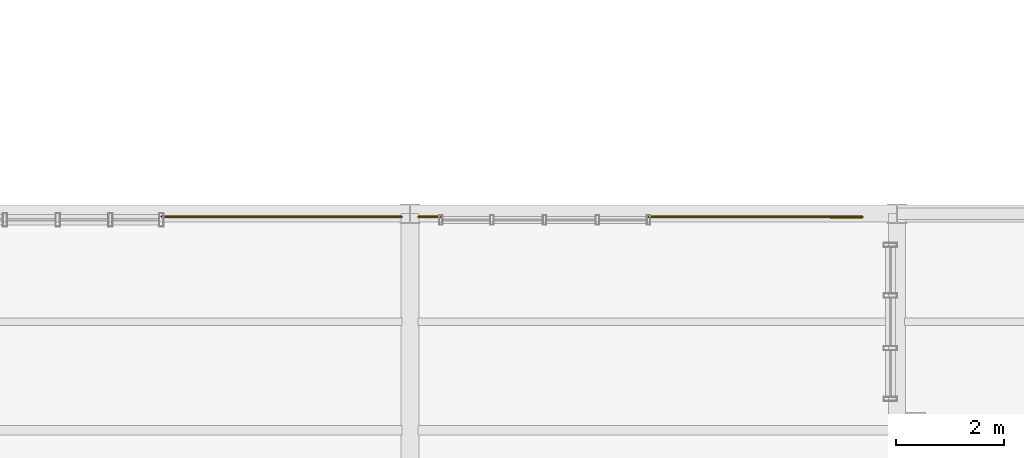
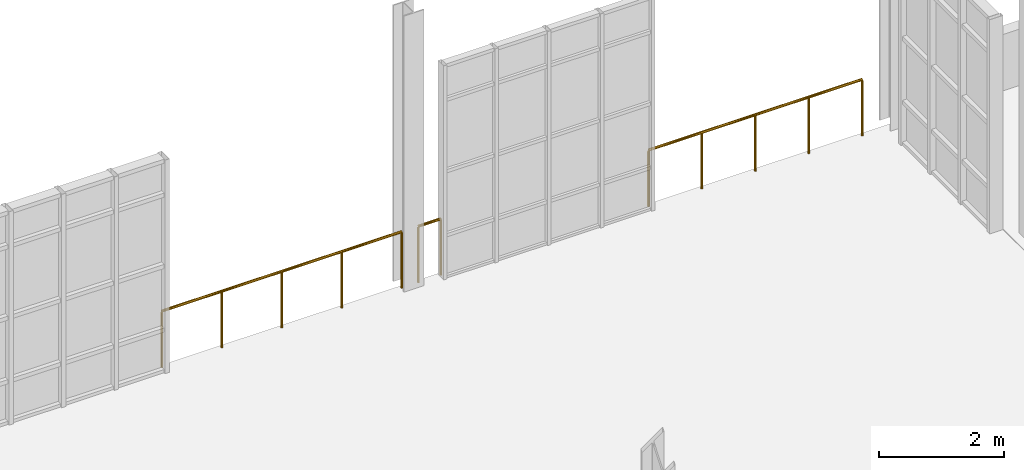
# One storey, part 142 of 142: 3 railings.
"""IFC4 building model written with IfcOpenShell, lengths in metres."""

from ifc_helpers import new_model, si_unit, direction, frame, origin, origin_2d, place, context, subcontext, project, spatial, circle, extrude, material, type_object, element, save


model = new_model("IFC4")

# Units and contexts
model_context = context("Model", 3, precision=1e-05, world=origin(), true_north=direction((0.0, 1.0)))
body_context = subcontext(model_context, "Body", "Model", "MODEL_VIEW")
ifc_project = project(units=[si_unit("LENGTHUNIT", "METRE"), si_unit("AREAUNIT", "SQUARE_METRE"), si_unit("VOLUMEUNIT", "CUBIC_METRE"), si_unit("PLANEANGLEUNIT", "RADIAN"), si_unit("MASSUNIT", "GRAM", prefix="KILO"), si_unit("THERMODYNAMICTEMPERATUREUNIT", "KELVIN"), si_unit("POWERUNIT", "WATT")], contexts=[model_context])

# Site, building, storey
site_placement = place(None, origin())
site = spatial("IfcSite", under=ifc_project, at=site_placement, CompositionType="ELEMENT")
building_placement = place(site_placement, origin())
building = spatial("IfcBuilding", under=site, at=building_placement, Name="Zelmaris Science Centre", CompositionType="ELEMENT")
storey_placement = place(building_placement, frame((0.0, 0.0, 5.39990234375)))
storey = spatial("IfcBuildingStorey", under=building, at=storey_placement, Name="L01", CompositionType="ELEMENT", Elevation=5.39990234375)

# Railings
ifc_material = material(Name="Architectural bronze alloy C28000")
railing_type = type_object("IfcRailingType", Name="Balustrade GD-01 H1120", PredefinedType="BALUSTRADE", material=ifc_material)
railing_1_placement = place(storey_placement, frame((130.409912109375, 55.946533203125, 0.0)))
element("IfcRailing", 1, at=railing_1_placement, inside=storey, type_object=railing_type, Name="L01 Perimeter safety balustrade 75", PredefinedType="BALUSTRADE", context=body_context, shape_type="SweptSolid", body=[
    extrude(circle(Radius=0.02392578125, at=origin_2d()), frame((0.0, 0.0, 1.09619140625), z_axis=(0.999999877328, -0.000495321899, 0.0), x_axis=(0.000495321899, 0.999999877328, 0.0)), (0.0, 0.0, 1.0), 4.43603515625),
    extrude(circle(Radius=0.02099609375, at=origin_2d()), origin(), (0.0, 0.0, 1.0), 1.072021484375),
    extrude(circle(Radius=0.02099609375, at=origin_2d()), frame((1.10888671875, -0.00048828125, 0.0)), (0.0, 0.0, 1.0), 1.072021484375),
    extrude(circle(Radius=0.02099609375, at=origin_2d()), frame((2.218017578125, -0.0009765625, 0.0)), (0.0, 0.0, 1.0), 1.072021484375),
    extrude(circle(Radius=0.02099609375, at=origin_2d()), frame((3.3271484375, -0.001708984375, 0.0)), (0.0, 0.0, 1.0), 1.072021484375),
    extrude(circle(Radius=0.02099609375, at=origin_2d()), frame((4.43603515625, -0.002197265625, 0.0)), (0.0, 0.0, 1.0), 1.072021484375),
])
railing_2_placement = place(storey_placement, frame((135.154052734375, 55.9443359375, 0.0)))
element("IfcRailing", 2, at=railing_2_placement, inside=storey, type_object=railing_type, Name="L01 Perimeter safety balustrade 76", PredefinedType="BALUSTRADE", context=body_context, shape_type="SweptSolid", body=[
    extrude(circle(Radius=0.02392578125, at=origin_2d()), frame((0.0, 0.0, 1.09619140625), z_axis=(0.999999827599, -0.000587198959, 0.0), x_axis=(0.000587198959, 0.999999827599, 0.0)), (0.0, 0.0, 1.0), 0.415771484375),
    extrude(circle(Radius=0.02099609375, at=origin_2d()), origin(), (0.0, 0.0, 1.0), 1.072021484375),
    extrude(circle(Radius=0.02099609375, at=origin_2d()), frame((0.415771484375, -0.000244140625, 0.0)), (0.0, 0.0, 1.0), 1.072021484375),
])
railing_3_placement = place(storey_placement, frame((139.409912109375, 55.942138671875, 0.0)))
element("IfcRailing", 3, at=railing_3_placement, inside=storey, type_object=railing_type, Name="L01 Perimeter safety balustrade 77", PredefinedType="BALUSTRADE", context=body_context, shape_type="SweptSolid", body=[
    extrude(circle(Radius=0.02392578125, at=origin_2d()), frame((0.0, 0.0, 1.09619140625), z_axis=(0.999999877766, -0.000494437517, 0.0), x_axis=(0.000494437517, 0.999999877766, 0.0)), (0.0, 0.0, 1.0), 3.9501953125),
    extrude(circle(Radius=0.02099609375, at=origin_2d()), origin(), (0.0, 0.0, 1.0), 1.072021484375),
    extrude(circle(Radius=0.02099609375, at=origin_2d()), frame((0.987548828125, -0.00048828125, 0.0)), (0.0, 0.0, 1.0), 1.072021484375),
    extrude(circle(Radius=0.02099609375, at=origin_2d()), frame((1.97509765625, -0.0009765625, 0.0)), (0.0, 0.0, 1.0), 1.072021484375),
    extrude(circle(Radius=0.02099609375, at=origin_2d()), frame((2.962646484375, -0.00146484375, 0.0)), (0.0, 0.0, 1.0), 1.072021484375),
    extrude(circle(Radius=0.02099609375, at=origin_2d()), frame((3.9501953125, -0.001953125, 0.0)), (0.0, 0.0, 1.0), 1.072021484375),
])

save(model, "model.ifc")
